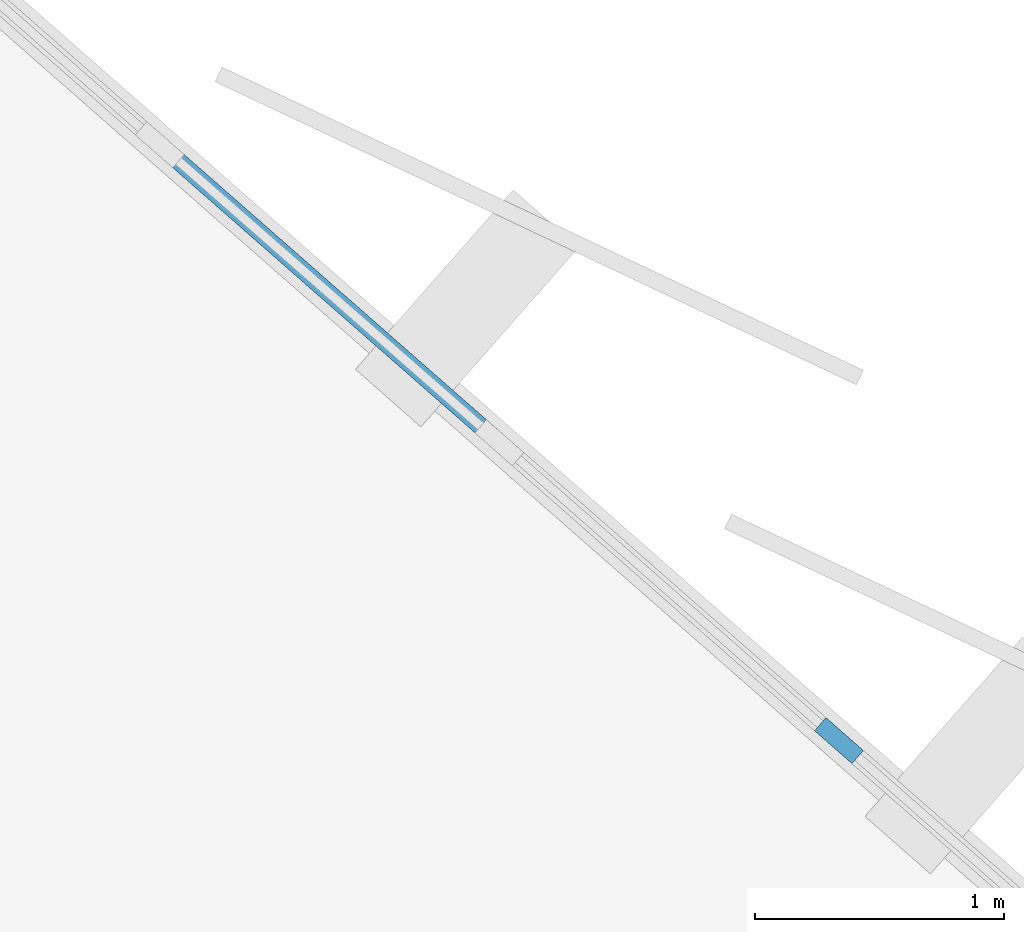
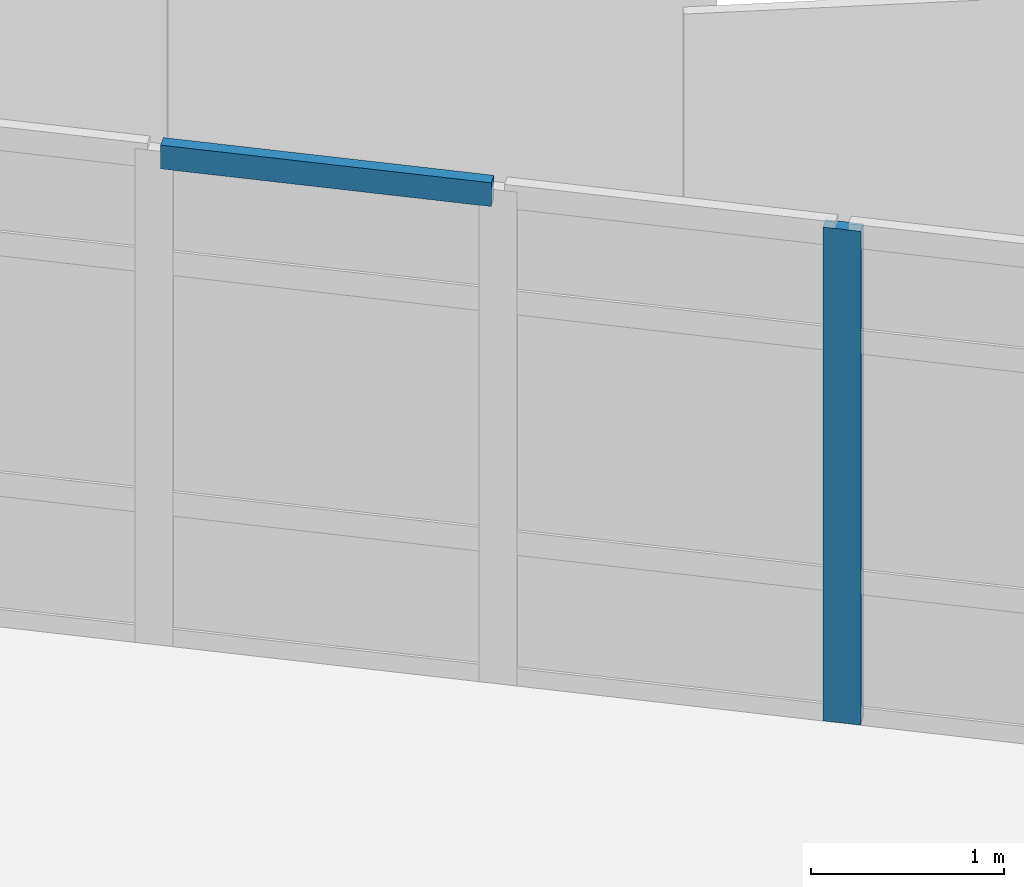
# One storey, part 80 of 134: 2 members, 1 element without a shape of its own.
"""IFC4 building model written with IfcOpenShell, lengths in metres."""

from ifc_helpers import new_model, si_unit, direction, frame, origin, origin_2d, place, context, subcontext, project, spatial, rectangle, extrude, material, layer, layer_set, material_profile, profile_set, type_object, element, aggregate, save


model = new_model("IFC4")

# Units and contexts
model_context = context("Model", 3, precision=1e-05, world=origin(), true_north=direction((0.0, 1.0)))
body_context = subcontext(model_context, "Body", "Model", "MODEL_VIEW")
ifc_project = project(units=[si_unit("LENGTHUNIT", "METRE"), si_unit("AREAUNIT", "SQUARE_METRE"), si_unit("VOLUMEUNIT", "CUBIC_METRE"), si_unit("PLANEANGLEUNIT", "RADIAN"), si_unit("MASSUNIT", "GRAM", prefix="KILO")], contexts=[model_context])

# Site, building, storey
site_placement = place(None, origin())
site = spatial("IfcSite", under=ifc_project, at=site_placement, CompositionType="ELEMENT")
building_placement = place(site_placement, origin())
building = spatial("IfcBuilding", under=site, at=building_placement, Name="Sohan Crest Arena", CompositionType="ELEMENT")
storey_placement = place(building_placement, frame((0.0, 0.0, 4.5)))
storey = spatial("IfcBuildingStorey", under=building, at=storey_placement, Name="L01", CompositionType="ELEMENT", Elevation=4.5)

# Curtain wall, members
ifc_material = material(Name="Thermally broken anodised aluminium", Category="aluminium")
ifc_layer = layer(ifc_material, 0.219970703125, Name="Thermally broken anodised aluminium")
ifc_layer_set = layer_set([ifc_layer], Name="Thermally broken anodised aluminium")
curtain_wall_type = type_object("IfcCurtainWallType", Name="ARC-CW03", PredefinedType="NOTDEFINED", material=ifc_layer_set)
curtain_wall_placement = place(storey_placement, origin())
curtain_wall = element("IfcCurtainWall", 1, at=curtain_wall_placement, inside=storey, type_object=curtain_wall_type, Name="Unitised curtain wall CW-042", PredefinedType="NOTDEFINED")
ifc_material_profile_1 = material_profile(ifc_material, rectangle(XDim=0.070068359375, YDim=0.199951171875, at=origin_2d()), Name="ALU-MULL 70x200")
ifc_profile_set_1 = profile_set([ifc_material_profile_1], Name="Thermally broken anodised aluminium")
member_type_1 = type_object("IfcMemberType", Name="ARC-CW-ML03", PredefinedType="MULLION", material=ifc_profile_set_1)
member_1_placement = place(storey_placement, frame((174.92041015625, 109.92822265625, 0.0), z_axis=(0.0, 0.0, 1.0), x_axis=(-0.659511551903, -0.751694427881, 0.0)))
member_1 = element("IfcMember", 2, at=member_1_placement, type_object=member_type_1, Name="CW-042 mullion 2", PredefinedType="MULLION", context=body_context, shape_type="SweptSolid", body=[
    extrude(rectangle(XDim=0.070068359375, YDim=0.199951171875, at=origin_2d()), origin(), (0.0, 0.0, 1.0), 3.1201171875),
])
ifc_material_profile_2 = material_profile(ifc_material, rectangle(XDim=0.070068359375, YDim=0.14990234375, at=origin_2d()), Name="ALU-TRAN 70x150")
ifc_profile_set_2 = profile_set([ifc_material_profile_2], Name="Thermally broken anodised aluminium")
member_type_2 = type_object("IfcMemberType", Name="ARC-CW-TR03", PredefinedType="USERDEFINED", material=ifc_profile_set_2)
member_2_placement = place(storey_placement, frame((173.52978515625, 111.1484375, 3.0849609375), z_axis=(-0.751761546135, 0.659435044377, 0.0), x_axis=(-0.659435044377, -0.751761546135, 0.0)))
member_2 = element("IfcMember", 3, at=member_2_placement, type_object=member_type_2, Name="CW-042 transom 3.4", ObjectType="TRANSOM", PredefinedType="USERDEFINED", context=body_context, shape_type="SweptSolid", body=[
    extrude(rectangle(XDim=0.070068359375, YDim=0.14990234375, at=origin_2d()), origin(), (0.0, 0.0, 1.0), 1.745361328125),
])
aggregate(curtain_wall, [member_1, member_2])

save(model, "model.ifc")
